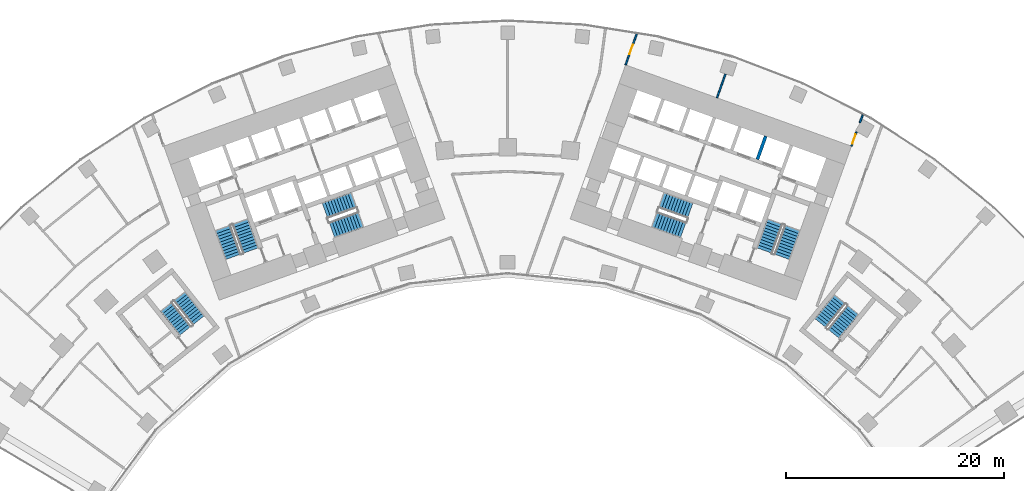
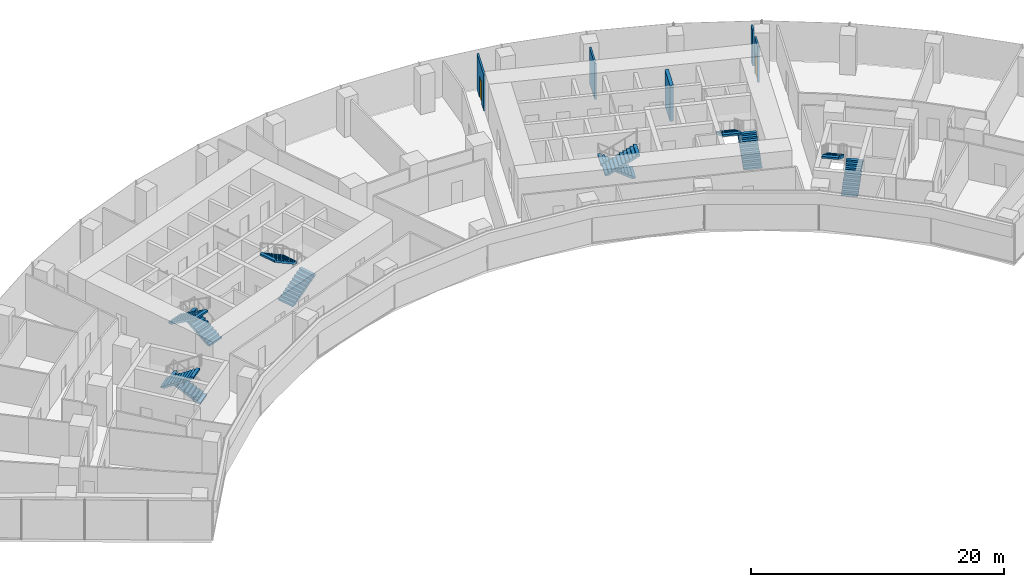
# One storey, part 19 of 21: 12 stair flights, 5 walls, 2 doors, 2 openings, 6 elements without a shape of their own.
"""IFC4 building model written with IfcOpenShell, lengths in metres."""

from ifc_helpers import new_model, si_unit, direction, frame, frame_2d, origin, place, context, subcontext, project, spatial, polyline, rectangle, outline, extrude, material, layer, layer_set, type_object, element, fill, aggregate, save


model = new_model("IFC4")

# Units and contexts
model_context = context("Model", 3, precision=1e-05, world=origin(), true_north=direction((0.0, 1.0)))
body_context = subcontext(model_context, "Body", "Model", "MODEL_VIEW")
ifc_project = project(units=[si_unit("LENGTHUNIT", "METRE"), si_unit("AREAUNIT", "SQUARE_METRE"), si_unit("VOLUMEUNIT", "CUBIC_METRE"), si_unit("PLANEANGLEUNIT", "RADIAN"), si_unit("MASSUNIT", "GRAM", prefix="KILO")], contexts=[model_context])

# Site, building, storey
site_placement = place(None, origin())
site = spatial("IfcSite", under=ifc_project, at=site_placement, CompositionType="ELEMENT")
building_placement = place(site_placement, origin())
building = spatial("IfcBuilding", under=site, at=building_placement, Name="Stone Belt Terrace Tower", CompositionType="ELEMENT")
storey_placement = place(building_placement, frame((0.0, 0.0, 49.0)))
storey = spatial("IfcBuildingStorey", under=building, at=storey_placement, Name="L11", CompositionType="ELEMENT", Elevation=49.0)

# Wall
ifc_material_1 = material(Name="Concrete B80", Category="concrete")
ifc_layer_1 = layer(ifc_material_1, 0.300048828125)
ifc_layer_set_1 = layer_set([ifc_layer_1], Name="Lift shaft wall 300")
wall_type_1 = type_object("IfcWallType", Name="Lift shaft wall 300", PredefinedType="SHEAR", material=ifc_layer_set_1)
wall_1_placement = place(storey_placement, frame((22.897705078125, 53.87939453125, 0.0), z_axis=(0.0, 0.0, 1.0), x_axis=(0.338535034312, 0.940953787677, 0.0)))
element("IfcWall", 1, at=wall_1_placement, inside=storey, type_object=wall_type_1, Name="Core B wall", PredefinedType="SHEAR", context=body_context, shape_type="SweptSolid", body=[
    extrude(rectangle(XDim=2.25, YDim=0.300048828125, at=frame_2d((1.125, 0.0))), origin(), (0.0, 0.0, 1.0), 3.47998046875),
])

# Wall, opening, door
ifc_material_2 = material(Name="Gypsum board partition")
ifc_layer_2 = layer(ifc_material_2, 0.14990234375)
ifc_layer_set_2 = layer_set([ifc_layer_2], Name="PARTITION 150 EI 60")
wall_type_2 = type_object("IfcWallType", Name="PARTITION 150 EI 60", PredefinedType="PARTITIONING", material=ifc_layer_set_2)
wall_2_placement = place(storey_placement, frame((11.831787109375, 65.360107421875, 0.0), z_axis=(0.0, 0.0, 1.0), x_axis=(-0.338630302468, -0.940919506786, 0.0)))
wall_2 = element("IfcWall", 2, at=wall_2_placement, inside=storey, type_object=wall_type_2, Name="L11/wall/i018", PredefinedType="PARTITIONING", context=body_context, shape_type="SweptSolid", body=[
    extrude(rectangle(XDim=3.005615234375, YDim=0.14990234375, at=frame_2d((1.5029296875, 0.0))), origin(), (0.0, 0.0, 1.0), 3.47998046875),
])
opening_1_placement = place(wall_2_placement, frame((1.052734375, 0.0, 0.0)))
opening_1 = element("IfcOpeningElement", 3, at=opening_1_placement, cuts=wall_2, Name="Opening D-A3-09", PredefinedType="OPENING", context=body_context, shape_type="SweptSolid", body=[
    extrude(rectangle(XDim=0.89990234375, YDim=2.10009765625, at=frame_2d((0.449951171875, 1.050048828125))), frame((0.0, 0.0849609375, 0.0), z_axis=(0.0, -1.0, 0.0), x_axis=(1.0, 0.0, 0.0)), (0.0, 0.0, 1.0), 0.169921875),
])
ifc_material_3 = material(Name="Timber door leaf", Category="wood")
door_type = type_object("IfcDoorType", Name="OFFICE DOOR 900 X 2100", OperationType="NOTDEFINED", PredefinedType="DOOR", material=ifc_material_3)
door_1_placement = place(opening_1_placement, origin())
door_1 = element("IfcDoor", 4, at=door_1_placement, inside=storey, type_object=door_type, Name="L11/door/i09", OperationType="SINGLE_SWING_RIGHT", OverallHeight=2.10009765625, OverallWidth=0.89990234375, PredefinedType="DOOR", context=body_context, shape_type="SweptSolid", body=[
    extrude(rectangle(XDim=0.89990234375, YDim=2.10009765625, at=frame_2d((0.449951171875, 1.050048828125))), frame((0.0, 0.02490234375, 0.0), z_axis=(0.0, -1.0, 0.0), x_axis=(1.0, 0.0, 0.0)), (0.0, 0.0, 1.0), 0.050048828125),
])
fill(opening_1, door_1)

wall_3_placement = place(storey_placement, frame((31.513916015625, 55.0830078125, 0.0), z_axis=(0.0, 0.0, 1.0), x_axis=(0.338861945182, 0.940836107995, 0.0)))
wall_3 = element("IfcWall", 5, at=wall_3_placement, inside=storey, type_object=wall_type_2, Name="L11/wall/i023", PredefinedType="PARTITIONING", context=body_context, shape_type="SweptSolid", body=[
    extrude(rectangle(XDim=1.3955078125, YDim=0.14990234375, at=frame_2d((0.69775390625, 0.0))), origin(), (0.0, 0.0, 1.0), 3.47998046875),
])
opening_2_placement = place(wall_3_placement, frame((0.247802734375, 0.0, 0.0)))
opening_2 = element("IfcOpeningElement", 6, at=opening_2_placement, cuts=wall_3, Name="Opening D-A3-10", PredefinedType="OPENING", context=body_context, shape_type="SweptSolid", body=[
    extrude(rectangle(XDim=0.89990234375, YDim=2.10009765625, at=frame_2d((0.449951171875, 1.050048828125))), frame((0.0, 0.0849609375, 0.0), z_axis=(0.0, -1.0, 0.0), x_axis=(1.0, 0.0, 0.0)), (0.0, 0.0, 1.0), 0.169921875),
])
door_2_placement = place(opening_2_placement, origin())
door_2 = element("IfcDoor", 7, at=door_2_placement, inside=storey, type_object=door_type, Name="L11/door/i10", OperationType="SINGLE_SWING_RIGHT", OverallHeight=2.10009765625, OverallWidth=0.89990234375, PredefinedType="DOOR", context=body_context, shape_type="SweptSolid", body=[
    extrude(rectangle(XDim=0.89990234375, YDim=2.10009765625, at=frame_2d((0.449951171875, 1.050048828125))), frame((0.0, 0.02490234375, 0.0), z_axis=(0.0, -1.0, 0.0), x_axis=(1.0, 0.0, 0.0)), (0.0, 0.0, 1.0), 0.050048828125),
])
fill(opening_2, door_2)

# Walls
wall_4_placement = place(storey_placement, frame((32.290283203125, 57.238525390625, 0.0), z_axis=(0.0, 0.0, 1.0), x_axis=(0.338960201827, 0.940800712998, 0.0)))
element("IfcWall", 8, at=wall_4_placement, inside=storey, type_object=wall_type_2, Name="L11/wall/i024", PredefinedType="PARTITIONING", context=body_context, shape_type="SweptSolid", body=[
    extrude(rectangle(XDim=0.754150390625, YDim=0.14990234375, at=frame_2d((0.376953125, 0.0))), origin(), (0.0, 0.0, 1.0), 3.47998046875),
])
wall_5_placement = place(storey_placement, frame((19.968994140625, 61.68212890625, 0.0), z_axis=(0.0, 0.0, 1.0), x_axis=(-0.338715709517, -0.940888765012, 0.0)))
element("IfcWall", 9, at=wall_5_placement, inside=storey, type_object=wall_type_2, Name="L11/wall/i033", PredefinedType="PARTITIONING", context=body_context, shape_type="SweptSolid", body=[
    extrude(rectangle(XDim=2.300048828125, YDim=0.14990234375, at=frame_2d((1.14990234375, 0.0))), origin(), (0.0, 0.0, 1.0), 3.47998046875),
])

# Stair, stair flights
ifc_material_4 = material(Name="Concrete B40", Category="concrete")
stair_type = type_object("IfcStairType", Name="Exit stair 1500", PredefinedType="HALF_TURN_STAIR", material=ifc_material_4)
stair_1_placement = place(storey_placement, origin())
stair_1 = element("IfcStair", 10, at=stair_1_placement, inside=storey, type_object=stair_type, Name="L11 Exit stair 1 core A", PredefinedType="HALF_TURN_STAIR")
stair_flight_type = type_object("IfcStairFlightType", Name="Stair flight 1500", PredefinedType="STRAIGHT", material=ifc_material_4)
stair_flight_1_placement = place(storey_placement, frame((-23.55322265625, 45.51318359375, 0.0), z_axis=(0.0, 0.0, 1.0), x_axis=(-0.338624396177, 0.940921632398, 0.0)))
stair_flight_1 = element("IfcStairFlight", 11, at=stair_flight_1_placement, type_object=stair_flight_type, Name="ST1A flight 1", NumberOfRisers=11, NumberOfTreads=10, PredefinedType="STRAIGHT", RiserHeight=0.172727273, TreadLength=0.28, context=body_context, shape_type="SweptSolid", body=[
    extrude(outline(polyline([(0.0, 0.0), (0.0, 0.172607421875), (0.280029296875, 0.172607421875), (0.280029296875, 0.345458984375), (0.56005859375, 0.345458984375), (0.56005859375, 0.51806640625), (0.840087890625, 0.51806640625), (0.840087890625, 0.69091796875), (1.1201171875, 0.69091796875), (1.1201171875, 0.863525390625), (1.39990234375, 0.863525390625), (1.39990234375, 1.036376953125), (1.679931640625, 1.036376953125), (1.679931640625, 1.208984375), (1.9599609375, 1.208984375), (1.9599609375, 1.3818359375), (2.239990234375, 1.3818359375), (2.239990234375, 1.554443359375), (2.52001953125, 1.554443359375), (2.52001953125, 1.727294921875), (2.800048828125, 1.727294921875), (2.800048828125, 1.89990234375), (2.800048828125, 1.551025390625), (0.285400390625, 0.0), (0.0, 0.0)])), frame((0.0, 0.75, 0.0), z_axis=(0.0, -1.0, 0.0), x_axis=(1.0, 0.0, 0.0)), (0.0, 0.0, 1.0), 1.5),
])
stair_flight_2_placement = place(storey_placement, frame((-26.10107421875, 47.572021484375, 1.89990234375), z_axis=(0.0, 0.0, 1.0), x_axis=(0.338624396177, -0.940921632398, 0.0)))
stair_flight_2 = element("IfcStairFlight", 12, at=stair_flight_2_placement, type_object=stair_flight_type, Name="ST1A flight 2", NumberOfRisers=11, NumberOfTreads=10, PredefinedType="STRAIGHT", RiserHeight=0.172727273, TreadLength=0.28, context=body_context, shape_type="SweptSolid", body=[
    extrude(outline(polyline([(0.0, 0.0), (0.0, 0.172607421875), (0.280029296875, 0.172607421875), (0.280029296875, 0.345458984375), (0.56005859375, 0.345458984375), (0.56005859375, 0.51806640625), (0.840087890625, 0.51806640625), (0.840087890625, 0.69091796875), (1.1201171875, 0.69091796875), (1.1201171875, 0.863525390625), (1.39990234375, 0.863525390625), (1.39990234375, 1.036376953125), (1.679931640625, 1.036376953125), (1.679931640625, 1.208984375), (1.9599609375, 1.208984375), (1.9599609375, 1.3818359375), (2.239990234375, 1.3818359375), (2.239990234375, 1.554443359375), (2.52001953125, 1.554443359375), (2.52001953125, 1.727294921875), (2.800048828125, 1.727294921875), (2.800048828125, 1.89990234375), (2.800048828125, 1.551025390625), (0.285400390625, 0.0), (0.0, 0.0)])), frame((0.0, 0.75, 0.0), z_axis=(0.0, -1.0, 0.0), x_axis=(1.0, 0.0, 0.0)), (0.0, 0.0, 1.0), 1.5),
])
aggregate(stair_1, [stair_flight_1, stair_flight_2])

stair_2_placement = place(storey_placement, origin())
stair_2 = element("IfcStair", 13, at=stair_2_placement, inside=storey, type_object=stair_type, Name="L11 Exit stair 2 core A", PredefinedType="HALF_TURN_STAIR")
stair_flight_3_placement = place(storey_placement, frame((-16.101318359375, 47.39794921875, 0.0), z_axis=(0.0, 0.0, 1.0), x_axis=(0.940921632398, 0.338624396177, 0.0)))
stair_flight_3 = element("IfcStairFlight", 14, at=stair_flight_3_placement, type_object=stair_flight_type, Name="ST2A flight 1", NumberOfRisers=11, NumberOfTreads=10, PredefinedType="STRAIGHT", RiserHeight=0.172727273, TreadLength=0.28, context=body_context, shape_type="SweptSolid", body=[
    extrude(outline(polyline([(0.0, 0.0), (0.0, 0.172607421875), (0.280029296875, 0.172607421875), (0.280029296875, 0.345458984375), (0.56005859375, 0.345458984375), (0.56005859375, 0.51806640625), (0.840087890625, 0.51806640625), (0.840087890625, 0.69091796875), (1.1201171875, 0.69091796875), (1.1201171875, 0.863525390625), (1.39990234375, 0.863525390625), (1.39990234375, 1.036376953125), (1.679931640625, 1.036376953125), (1.679931640625, 1.208984375), (1.9599609375, 1.208984375), (1.9599609375, 1.3818359375), (2.239990234375, 1.3818359375), (2.239990234375, 1.554443359375), (2.52001953125, 1.554443359375), (2.52001953125, 1.727294921875), (2.800048828125, 1.727294921875), (2.800048828125, 1.89990234375), (2.800048828125, 1.551025390625), (0.285400390625, 0.0), (0.0, 0.0)])), frame((0.0, 0.75, 0.0), z_axis=(0.0, -1.0, 0.0), x_axis=(1.0, 0.0, 0.0)), (0.0, 0.0, 1.0), 1.5),
])
stair_flight_4_placement = place(storey_placement, frame((-14.110107421875, 50.1337890625, 1.89990234375), z_axis=(0.0, 0.0, 1.0), x_axis=(-0.940921632398, -0.338624396177, 0.0)))
stair_flight_4 = element("IfcStairFlight", 15, at=stair_flight_4_placement, type_object=stair_flight_type, Name="ST2A flight 2", NumberOfRisers=11, NumberOfTreads=10, PredefinedType="STRAIGHT", RiserHeight=0.172727273, TreadLength=0.28, context=body_context, shape_type="SweptSolid", body=[
    extrude(outline(polyline([(0.0, 0.0), (0.0, 0.172607421875), (0.280029296875, 0.172607421875), (0.280029296875, 0.345458984375), (0.56005859375, 0.345458984375), (0.56005859375, 0.51806640625), (0.840087890625, 0.51806640625), (0.840087890625, 0.69091796875), (1.1201171875, 0.69091796875), (1.1201171875, 0.863525390625), (1.39990234375, 0.863525390625), (1.39990234375, 1.036376953125), (1.679931640625, 1.036376953125), (1.679931640625, 1.208984375), (1.9599609375, 1.208984375), (1.9599609375, 1.3818359375), (2.239990234375, 1.3818359375), (2.239990234375, 1.554443359375), (2.52001953125, 1.554443359375), (2.52001953125, 1.727294921875), (2.800048828125, 1.727294921875), (2.800048828125, 1.89990234375), (2.800048828125, 1.551025390625), (0.285400390625, 0.0), (0.0, 0.0)])), frame((0.0, 0.75, 0.0), z_axis=(0.0, -1.0, 0.0), x_axis=(1.0, 0.0, 0.0)), (0.0, 0.0, 1.0), 1.5),
])
aggregate(stair_2, [stair_flight_3, stair_flight_4])

stair_3_placement = place(storey_placement, origin())
stair_3 = element("IfcStair", 16, at=stair_3_placement, inside=storey, type_object=stair_type, Name="L11 Exit stair 1 core B", PredefinedType="HALF_TURN_STAIR")
stair_flight_5_placement = place(storey_placement, frame((25.15283203125, 44.9375, 0.0), z_axis=(0.0, 0.0, 1.0), x_axis=(0.338624396177, 0.940921632398, 0.0)))
stair_flight_5 = element("IfcStairFlight", 17, at=stair_flight_5_placement, type_object=stair_flight_type, Name="ST1B flight 1", NumberOfRisers=11, NumberOfTreads=10, PredefinedType="STRAIGHT", RiserHeight=0.172727273, TreadLength=0.28, context=body_context, shape_type="SweptSolid", body=[
    extrude(outline(polyline([(0.0, 0.0), (0.0, 0.172607421875), (0.280029296875, 0.172607421875), (0.280029296875, 0.345458984375), (0.56005859375, 0.345458984375), (0.56005859375, 0.51806640625), (0.840087890625, 0.51806640625), (0.840087890625, 0.69091796875), (1.1201171875, 0.69091796875), (1.1201171875, 0.863525390625), (1.39990234375, 0.863525390625), (1.39990234375, 1.036376953125), (1.679931640625, 1.036376953125), (1.679931640625, 1.208984375), (1.9599609375, 1.208984375), (1.9599609375, 1.3818359375), (2.239990234375, 1.3818359375), (2.239990234375, 1.554443359375), (2.52001953125, 1.554443359375), (2.52001953125, 1.727294921875), (2.800048828125, 1.727294921875), (2.800048828125, 1.89990234375), (2.800048828125, 1.551025390625), (0.285400390625, 0.0), (0.0, 0.0)])), frame((0.0, 0.75, 0.0), z_axis=(0.0, -1.0, 0.0), x_axis=(1.0, 0.0, 0.0)), (0.0, 0.0, 1.0), 1.5),
])
stair_flight_6_placement = place(storey_placement, frame((24.50146484375, 48.147705078125, 1.89990234375), z_axis=(0.0, 0.0, 1.0), x_axis=(-0.338624396177, -0.940921632398, 0.0)))
stair_flight_6 = element("IfcStairFlight", 18, at=stair_flight_6_placement, type_object=stair_flight_type, Name="ST1B flight 2", NumberOfRisers=11, NumberOfTreads=10, PredefinedType="STRAIGHT", RiserHeight=0.172727273, TreadLength=0.28, context=body_context, shape_type="SweptSolid", body=[
    extrude(outline(polyline([(0.0, 0.0), (0.0, 0.172607421875), (0.280029296875, 0.172607421875), (0.280029296875, 0.345458984375), (0.56005859375, 0.345458984375), (0.56005859375, 0.51806640625), (0.840087890625, 0.51806640625), (0.840087890625, 0.69091796875), (1.1201171875, 0.69091796875), (1.1201171875, 0.863525390625), (1.39990234375, 0.863525390625), (1.39990234375, 1.036376953125), (1.679931640625, 1.036376953125), (1.679931640625, 1.208984375), (1.9599609375, 1.208984375), (1.9599609375, 1.3818359375), (2.239990234375, 1.3818359375), (2.239990234375, 1.554443359375), (2.52001953125, 1.554443359375), (2.52001953125, 1.727294921875), (2.800048828125, 1.727294921875), (2.800048828125, 1.89990234375), (2.800048828125, 1.551025390625), (0.285400390625, 0.0), (0.0, 0.0)])), frame((0.0, 0.75, 0.0), z_axis=(0.0, -1.0, 0.0), x_axis=(1.0, 0.0, 0.0)), (0.0, 0.0, 1.0), 1.5),
])
aggregate(stair_3, [stair_flight_5, stair_flight_6])

stair_4_placement = place(storey_placement, origin())
stair_4 = element("IfcStair", 19, at=stair_4_placement, inside=storey, type_object=stair_type, Name="L11 Exit stair 2 core B", PredefinedType="HALF_TURN_STAIR")
stair_flight_7_placement = place(storey_placement, frame((16.74462890625, 49.185546875, 0.0), z_axis=(0.0, 0.0, 1.0), x_axis=(-0.940921632398, 0.338624396177, 0.0)))
stair_flight_7 = element("IfcStairFlight", 20, at=stair_flight_7_placement, type_object=stair_flight_type, Name="ST2B flight 1", NumberOfRisers=11, NumberOfTreads=10, PredefinedType="STRAIGHT", RiserHeight=0.172727273, TreadLength=0.28, context=body_context, shape_type="SweptSolid", body=[
    extrude(outline(polyline([(0.0, 0.0), (0.0, 0.172607421875), (0.280029296875, 0.172607421875), (0.280029296875, 0.345458984375), (0.56005859375, 0.345458984375), (0.56005859375, 0.51806640625), (0.840087890625, 0.51806640625), (0.840087890625, 0.69091796875), (1.1201171875, 0.69091796875), (1.1201171875, 0.863525390625), (1.39990234375, 0.863525390625), (1.39990234375, 1.036376953125), (1.679931640625, 1.036376953125), (1.679931640625, 1.208984375), (1.9599609375, 1.208984375), (1.9599609375, 1.3818359375), (2.239990234375, 1.3818359375), (2.239990234375, 1.554443359375), (2.52001953125, 1.554443359375), (2.52001953125, 1.727294921875), (2.800048828125, 1.727294921875), (2.800048828125, 1.89990234375), (2.800048828125, 1.551025390625), (0.285400390625, 0.0), (0.0, 0.0)])), frame((0.0, 0.75, 0.0), z_axis=(0.0, -1.0, 0.0), x_axis=(1.0, 0.0, 0.0)), (0.0, 0.0, 1.0), 1.5),
])
stair_flight_8_placement = place(storey_placement, frame((13.466796875, 48.345947265625, 1.89990234375), z_axis=(0.0, 0.0, 1.0), x_axis=(0.940921632398, -0.338624396177, 0.0)))
stair_flight_8 = element("IfcStairFlight", 21, at=stair_flight_8_placement, type_object=stair_flight_type, Name="ST2B flight 2", NumberOfRisers=11, NumberOfTreads=10, PredefinedType="STRAIGHT", RiserHeight=0.172727273, TreadLength=0.28, context=body_context, shape_type="SweptSolid", body=[
    extrude(outline(polyline([(0.0, 0.0), (0.0, 0.172607421875), (0.280029296875, 0.172607421875), (0.280029296875, 0.345458984375), (0.56005859375, 0.345458984375), (0.56005859375, 0.51806640625), (0.840087890625, 0.51806640625), (0.840087890625, 0.69091796875), (1.1201171875, 0.69091796875), (1.1201171875, 0.863525390625), (1.39990234375, 0.863525390625), (1.39990234375, 1.036376953125), (1.679931640625, 1.036376953125), (1.679931640625, 1.208984375), (1.9599609375, 1.208984375), (1.9599609375, 1.3818359375), (2.239990234375, 1.3818359375), (2.239990234375, 1.554443359375), (2.52001953125, 1.554443359375), (2.52001953125, 1.727294921875), (2.800048828125, 1.727294921875), (2.800048828125, 1.89990234375), (2.800048828125, 1.551025390625), (0.285400390625, 0.0), (0.0, 0.0)])), frame((0.0, 0.75, 0.0), z_axis=(0.0, -1.0, 0.0), x_axis=(1.0, 0.0, 0.0)), (0.0, 0.0, 1.0), 1.5),
])
aggregate(stair_4, [stair_flight_7, stair_flight_8])

stair_5_placement = place(storey_placement, origin())
stair_5 = element("IfcStair", 22, at=stair_5_placement, inside=storey, type_object=stair_type, Name="L11 Exit stair 3A", PredefinedType="HALF_TURN_STAIR")
stair_flight_9_placement = place(storey_placement, frame((-28.325439453125, 39.1240234375, 0.0), z_axis=(0.0, 0.0, 1.0), x_axis=(-0.623121363691, 0.782125160132, 0.0)))
stair_flight_9 = element("IfcStairFlight", 23, at=stair_flight_9_placement, type_object=stair_flight_type, Name="ST3A flight 1", NumberOfRisers=11, NumberOfTreads=10, PredefinedType="STRAIGHT", RiserHeight=0.172727273, TreadLength=0.28, context=body_context, shape_type="SweptSolid", body=[
    extrude(outline(polyline([(0.0, 0.0), (0.0, 0.172607421875), (0.280029296875, 0.172607421875), (0.280029296875, 0.345458984375), (0.56005859375, 0.345458984375), (0.56005859375, 0.51806640625), (0.840087890625, 0.51806640625), (0.840087890625, 0.69091796875), (1.1201171875, 0.69091796875), (1.1201171875, 0.863525390625), (1.39990234375, 0.863525390625), (1.39990234375, 1.036376953125), (1.679931640625, 1.036376953125), (1.679931640625, 1.208984375), (1.9599609375, 1.208984375), (1.9599609375, 1.3818359375), (2.239990234375, 1.3818359375), (2.239990234375, 1.554443359375), (2.52001953125, 1.554443359375), (2.52001953125, 1.727294921875), (2.800048828125, 1.727294921875), (2.800048828125, 1.89990234375), (2.800048828125, 1.551025390625), (0.285400390625, 0.0), (0.0, 0.0)])), frame((0.0, 0.675048828125, 0.0), z_axis=(0.0, -1.0, 0.0), x_axis=(1.0, 0.0, 0.0)), (0.0, 0.0, 1.0), 1.35009765625),
])
stair_flight_10_placement = place(storey_placement, frame((-31.282470703125, 40.34814453125, 1.89990234375), z_axis=(0.0, 0.0, 1.0), x_axis=(0.623121363691, -0.782125160132, 0.0)))
stair_flight_10 = element("IfcStairFlight", 24, at=stair_flight_10_placement, type_object=stair_flight_type, Name="ST3A flight 2", NumberOfRisers=11, NumberOfTreads=10, PredefinedType="STRAIGHT", RiserHeight=0.172727273, TreadLength=0.28, context=body_context, shape_type="SweptSolid", body=[
    extrude(outline(polyline([(0.0, 0.0), (0.0, 0.172607421875), (0.280029296875, 0.172607421875), (0.280029296875, 0.345458984375), (0.56005859375, 0.345458984375), (0.56005859375, 0.51806640625), (0.840087890625, 0.51806640625), (0.840087890625, 0.69091796875), (1.1201171875, 0.69091796875), (1.1201171875, 0.863525390625), (1.39990234375, 0.863525390625), (1.39990234375, 1.036376953125), (1.679931640625, 1.036376953125), (1.679931640625, 1.208984375), (1.9599609375, 1.208984375), (1.9599609375, 1.3818359375), (2.239990234375, 1.3818359375), (2.239990234375, 1.554443359375), (2.52001953125, 1.554443359375), (2.52001953125, 1.727294921875), (2.800048828125, 1.727294921875), (2.800048828125, 1.89990234375), (2.800048828125, 1.551025390625), (0.285400390625, 0.0), (0.0, 0.0)])), frame((0.0, 0.675048828125, 0.0), z_axis=(0.0, -1.0, 0.0), x_axis=(1.0, 0.0, 0.0)), (0.0, 0.0, 1.0), 1.35009765625),
])
aggregate(stair_5, [stair_flight_9, stair_flight_10])

stair_6_placement = place(storey_placement, origin())
stair_6 = element("IfcStair", 25, at=stair_6_placement, inside=storey, type_object=stair_type, Name="L11 Exit stair 3B", PredefinedType="HALF_TURN_STAIR")
stair_flight_11_placement = place(storey_placement, frame((29.88330078125, 37.887939453125, 0.0), z_axis=(0.0, 0.0, 1.0), x_axis=(0.630205749599, 0.776428176441, 0.0)))
stair_flight_11 = element("IfcStairFlight", 26, at=stair_flight_11_placement, type_object=stair_flight_type, Name="ST3B flight 1", NumberOfRisers=11, NumberOfTreads=10, PredefinedType="STRAIGHT", RiserHeight=0.172727273, TreadLength=0.28, context=body_context, shape_type="SweptSolid", body=[
    extrude(outline(polyline([(0.0, 0.0), (0.0, 0.172607421875), (0.280029296875, 0.172607421875), (0.280029296875, 0.345458984375), (0.56005859375, 0.345458984375), (0.56005859375, 0.51806640625), (0.840087890625, 0.51806640625), (0.840087890625, 0.69091796875), (1.1201171875, 0.69091796875), (1.1201171875, 0.863525390625), (1.39990234375, 0.863525390625), (1.39990234375, 1.036376953125), (1.679931640625, 1.036376953125), (1.679931640625, 1.208984375), (1.9599609375, 1.208984375), (1.9599609375, 1.3818359375), (2.239990234375, 1.3818359375), (2.239990234375, 1.554443359375), (2.52001953125, 1.554443359375), (2.52001953125, 1.727294921875), (2.800048828125, 1.727294921875), (2.800048828125, 1.89990234375), (2.800048828125, 1.551025390625), (0.285400390625, 0.0), (0.0, 0.0)])), frame((0.0, 0.675048828125, 0.0), z_axis=(0.0, -1.0, 0.0), x_axis=(1.0, 0.0, 0.0)), (0.0, 0.0, 1.0), 1.35009765625),
])
stair_flight_12_placement = place(storey_placement, frame((30.4443359375, 41.038818359375, 1.89990234375), z_axis=(0.0, 0.0, 1.0), x_axis=(-0.630205749599, -0.776428176441, 0.0)))
stair_flight_12 = element("IfcStairFlight", 27, at=stair_flight_12_placement, type_object=stair_flight_type, Name="ST3B flight 2", NumberOfRisers=11, NumberOfTreads=10, PredefinedType="STRAIGHT", RiserHeight=0.172727273, TreadLength=0.28, context=body_context, shape_type="SweptSolid", body=[
    extrude(outline(polyline([(0.0, 0.0), (0.0, 0.172607421875), (0.280029296875, 0.172607421875), (0.280029296875, 0.345458984375), (0.56005859375, 0.345458984375), (0.56005859375, 0.51806640625), (0.840087890625, 0.51806640625), (0.840087890625, 0.69091796875), (1.1201171875, 0.69091796875), (1.1201171875, 0.863525390625), (1.39990234375, 0.863525390625), (1.39990234375, 1.036376953125), (1.679931640625, 1.036376953125), (1.679931640625, 1.208984375), (1.9599609375, 1.208984375), (1.9599609375, 1.3818359375), (2.239990234375, 1.3818359375), (2.239990234375, 1.554443359375), (2.52001953125, 1.554443359375), (2.52001953125, 1.727294921875), (2.800048828125, 1.727294921875), (2.800048828125, 1.89990234375), (2.800048828125, 1.551025390625), (0.285400390625, 0.0), (0.0, 0.0)])), frame((0.0, 0.675048828125, 0.0), z_axis=(0.0, -1.0, 0.0), x_axis=(1.0, 0.0, 0.0)), (0.0, 0.0, 1.0), 1.35009765625),
])
aggregate(stair_6, [stair_flight_11, stair_flight_12])

save(model, "model.ifc")
